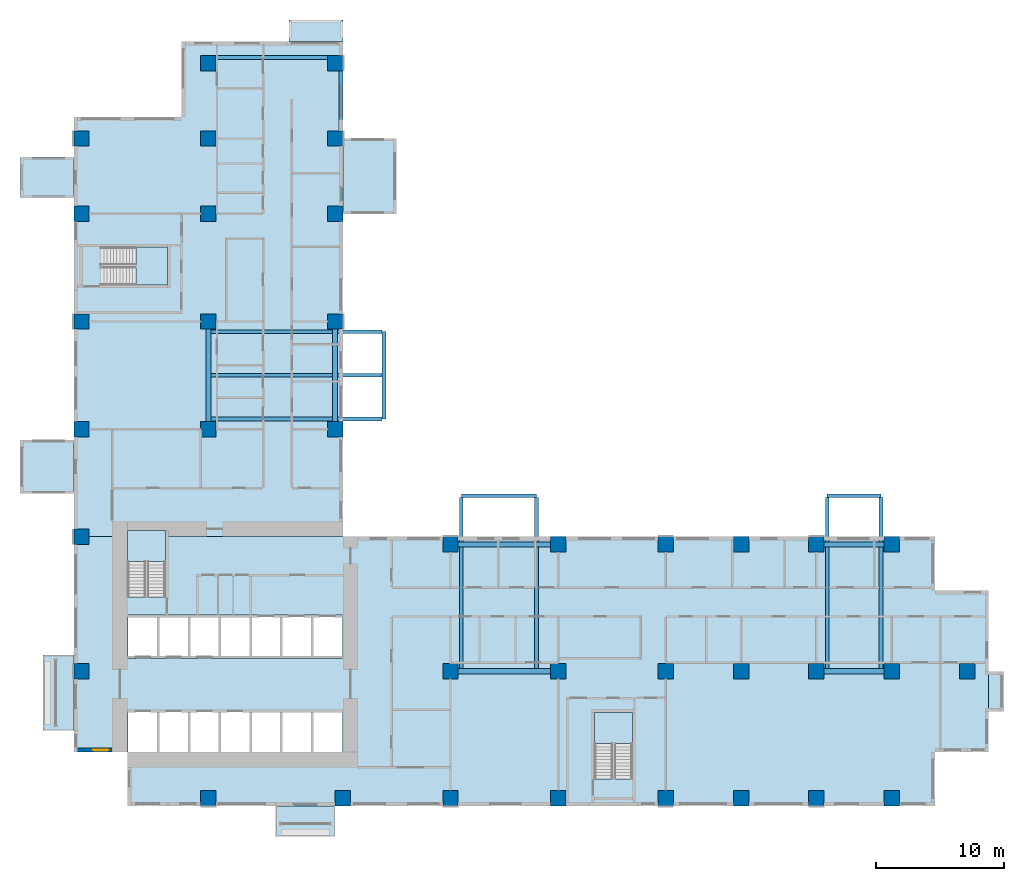
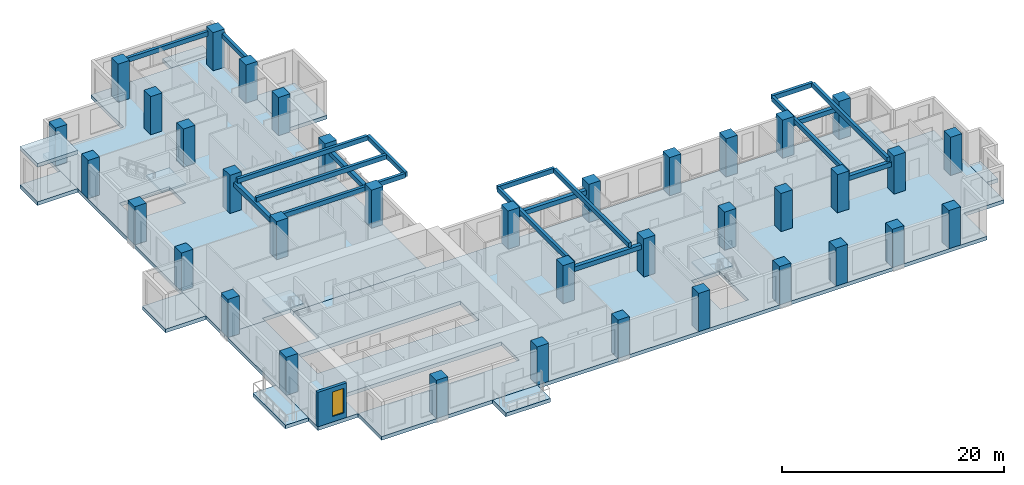
# One storey, part 1 of 14: 37 columns, 16 beams, 13 slabs, 2 members, 1 wall, 1 window, 1 opening, 3 elements without a shape of their own.
"""IFC4 building model written with IfcOpenShell, lengths in metres."""

from ifc_helpers import new_model, si_unit, direction, frame, frame_2d, origin, origin_2d, place, context, subcontext, project, spatial, polyline, rectangle, outline, extrude, source, transform, mapped, material, layer, layer_set, material_profile, profile_set, type_object, element, fill, aggregate, save


model = new_model("IFC4")

# Units and contexts
model_context = context("Model", 3, precision=1e-05, world=origin(), true_north=direction((0.0, 1.0)))
body_context = subcontext(model_context, "Body", "Model", "MODEL_VIEW")
ifc_project = project(units=[si_unit("LENGTHUNIT", "METRE"), si_unit("AREAUNIT", "SQUARE_METRE"), si_unit("VOLUMEUNIT", "CUBIC_METRE"), si_unit("PLANEANGLEUNIT", "RADIAN"), si_unit("MASSUNIT", "GRAM", prefix="KILO")], contexts=[model_context])

# Site, building, storey
site_placement = place(None, origin())
site = spatial("IfcSite", under=ifc_project, at=site_placement, CompositionType="ELEMENT")
building_placement = place(site_placement, origin())
building = spatial("IfcBuilding", under=site, at=building_placement, Name="Aurelian Terraces", CompositionType="ELEMENT")
storey_placement = place(building_placement, frame((0.0, 0.0, 86.7)))
storey = spatial("IfcBuildingStorey", under=building, at=storey_placement, Name="L18", CompositionType="ELEMENT", Elevation=86.7)

# Columns
ifc_material_1 = material(Name="Concrete fc' 83 MPa", Category="concrete")
ifc_material_profile_1 = material_profile(ifc_material_1, rectangle(XDim=1.2, YDim=1.2, at=origin_2d()))
ifc_profile_set_1 = profile_set([ifc_material_profile_1], Name="Concrete fc' 83 MPa")
column_type = type_object("IfcColumnType", Name="RC COLUMN 1200X1200 FC83", PredefinedType="COLUMN", material=ifc_profile_set_1)
shared_shape_1 = source(origin(), body_context, "Body", "SweptSolid", [
    extrude(rectangle(XDim=1.2, YDim=1.2, at=origin_2d()), origin(), (0.0, 0.0, 1.0), 4.2),
])
for number, where, z_axis, x_axis, name in (
    (1, (10.5, 0.6, 0.0), (0.0, 0.0, 1.0), (1.0, 0.0, 0.0), "Column 2/A L18"),
    (2, (21.0, 0.6, 0.0), (0.0, 0.0, 1.0), (1.0, 0.0, 0.0), "Column 3/A L18"),
    (3, (29.4, 0.6, 0.0), (0.0, 0.0, 1.0), (1.0, 0.0, 0.0), "Column 4/A L18"),
    (4, (37.8, 0.6, 0.0), (0.0, 0.0, 1.0), (1.0, 0.0, 0.0), "Column 5/A L18"),
    (5, (46.2, 0.6, 0.0), (0.0, 0.0, 1.0), (1.0, 0.0, 0.0), "Column 6/A L18"),
    (6, (52.08, 0.6, 0.0), (0.0, 0.0, 1.0), (1.0, 0.0, 0.0), "Column 7/A L18"),
    (7, (57.96, 0.6, 0.0), (0.0, 0.0, 1.0), (1.0, 0.0, 0.0), "Column 8/A L18"),
    (8, (63.84, 0.6, 0.0), (0.0, 0.0, 1.0), (1.0, 0.0, 0.0), "Column 9/A L18"),
    (9, (0.6, 10.5, 0.0), (0.0, 0.0, 1.0), (1.0, 0.0, 0.0), "Column 1/B L18"),
    (10, (29.4, 10.5, 0.0), (0.0, 0.0, 1.0), (1.0, 0.0, 0.0), "Column 4/B L18"),
    (11, (37.8, 10.5, 0.0), (0.0, 0.0, 1.0), (1.0, 0.0, 0.0), "Column 5/B L18"),
    (12, (46.2, 10.5, 0.0), (0.0, 0.0, 1.0), (1.0, 0.0, 0.0), "Column 6/B L18"),
    (13, (52.08, 10.5, 0.0), (0.0, 0.0, 1.0), (1.0, 0.0, 0.0), "Column 7/B L18"),
    (14, (57.96, 10.5, 0.0), (0.0, 0.0, 1.0), (1.0, 0.0, 0.0), "Column 8/B L18"),
    (15, (63.84, 10.5, 0.0), (0.0, 0.0, 1.0), (1.0, 0.0, 0.0), "Column 9/B L18"),
    (16, (69.72, 10.5, 0.0), (0.0, 0.0, 1.0), (1.0, 0.0, 0.0), "Column 10/B L18"),
    (17, (0.6, 21.0, 0.0), (0.0, 0.0, 1.0), (1.0, 0.0, 0.0), "Column 1/C L18"),
    (18, (29.4, 20.4, 0.0), (0.0, 0.0, 1.0), (1.0, 0.0, 0.0), "Column 4/C L18"),
    (19, (37.8, 20.4, 0.0), (0.0, 0.0, 1.0), (1.0, 0.0, 0.0), "Column 5/C L18"),
    (20, (46.2, 20.4, 0.0), (0.0, 0.0, 1.0), (1.0, 0.0, 0.0), "Column 6/C L18"),
    (21, (52.08, 20.4, 0.0), (0.0, 0.0, 1.0), (1.0, 0.0, 0.0), "Column 7/C L18"),
    (22, (57.96, 20.4, 0.0), (0.0, 0.0, 1.0), (1.0, 0.0, 0.0), "Column 8/C L18"),
    (23, (63.84, 20.4, 0.0), (0.0, 0.0, 1.0), (1.0, 0.0, 0.0), "Column 9/C L18"),
    (24, (0.6, 29.4, 0.0), (0.0, 0.0, 1.0), (1.0, 0.0, 0.0), "Column 1/D L18"),
    (25, (10.5, 29.4, 0.0), (0.0, 0.0, 1.0), (1.0, 0.0, 0.0), "Column 2/D L18"),
    (26, (20.4, 29.4, 0.0), (0.0, 0.0, 1.0), (1.0, 0.0, 0.0), "Column 3/D L18"),
    (27, (0.6, 37.8, 0.0), (0.0, 0.0, 1.0), (1.0, 0.0, 0.0), "Column 1/E L18"),
    (28, (10.5, 37.8, 0.0), (0.0, 0.0, 1.0), (1.0, 0.0, 0.0), "Column 2/E L18"),
    (29, (20.4, 37.8, 0.0), (0.0, 0.0, 1.0), (1.0, 0.0, 0.0), "Column 3/E L18"),
    (30, (0.6, 46.2, 0.0), (0.0, 0.0, 1.0), (1.0, 0.0, 0.0), "Column 1/F L18"),
    (31, (10.5, 46.2, 0.0), (0.0, 0.0, 1.0), (1.0, 0.0, 0.0), "Column 2/F L18"),
    (32, (20.4, 46.2, 0.0), (0.0, 0.0, 1.0), (1.0, 0.0, 0.0), "Column 3/F L18"),
    (33, (0.6, 52.08, 0.0), (0.0, 0.0, 1.0), (1.0, 0.0, 0.0), "Column 1/G L18"),
    (34, (10.5, 52.08, 0.0), (0.0, 0.0, 1.0), (1.0, 0.0, 0.0), "Column 2/G L18"),
    (35, (20.4, 52.08, 0.0), (0.0, 0.0, 1.0), (1.0, 0.0, 0.0), "Column 3/G L18"),
    (36, (10.5, 57.96, 0.0), (0.0, 0.0, 1.0), (1.0, 0.0, 0.0), "Column 2/H L18"),
    (37, (20.4, 57.96, 0.0), (0.0, 0.0, 1.0), (1.0, 0.0, 0.0), "Column 3/H L18"),
):
    element("IfcColumn", number, at=place(storey_placement, frame(where, z_axis=z_axis, x_axis=x_axis)), inside=storey, type_object=column_type, Name=name, PredefinedType="COLUMN", context=body_context, shape_type="MappedRepresentation", body=[
        mapped(shared_shape_1, transform((0.0, 0.0, 0.0), scale=1.0)),
    ])

# Members
ifc_material_2 = material(Name="Concrete fc' 40 MPa", Category="concrete")
ifc_material_profile_2 = material_profile(ifc_material_2, rectangle(XDim=0.3, YDim=0.5, at=origin_2d()))
ifc_profile_set_2 = profile_set([ifc_material_profile_2], Name="Concrete fc' 40 MPa")
member_type = type_object("IfcMemberType", Name="CONCRETE EDGE BEAM 300X500", PredefinedType="MEMBER", material=ifc_profile_set_2)
shared_shape_2 = source(origin(), body_context, "Body", "SweptSolid", [
    extrude(rectangle(XDim=0.3, YDim=0.5, at=origin_2d()), origin(), (0.0, 0.0, 1.0), 4.68),
])
member_1_placement = place(storey_placement, frame((20.85, 57.36, 3.55), z_axis=(0.0, -1.0, 0.0), x_axis=(1.0, 0.0, 0.0)))
element("IfcMember", 38, at=member_1_placement, inside=storey, type_object=member_type, Name="Terrace edge member L19-X1", PredefinedType="MEMBER", context=body_context, shape_type="MappedRepresentation", body=[
    mapped(shared_shape_2, transform((0.0, 0.0, 0.0), scale=1.0)),
])
shared_shape_3 = source(origin(), body_context, "Body", "SweptSolid", [
    extrude(rectangle(XDim=0.3, YDim=0.5, at=origin_2d()), origin(), (0.0, 0.0, 1.0), 8.7),
])
member_2_placement = place(storey_placement, frame((19.8, 58.41, 3.55), z_axis=(-1.0, 0.0, 0.0), x_axis=(0.0, -1.0, 0.0)))
element("IfcMember", 39, at=member_2_placement, inside=storey, type_object=member_type, Name="Terrace edge member L19-X1.2", PredefinedType="MEMBER", context=body_context, shape_type="MappedRepresentation", body=[
    mapped(shared_shape_3, transform((0.0, 0.0, 0.0), scale=1.0)),
])

# Beams
ifc_material_profile_3 = material_profile(ifc_material_2, rectangle(XDim=0.4, YDim=0.5, at=origin_2d()))
ifc_profile_set_3 = profile_set([ifc_material_profile_3], Name="Concrete fc' 40 MPa")
beam_type_1 = type_object("IfcBeamType", Name="CONCRETE EDGE GIRDER 400X500", PredefinedType="BEAM", material=ifc_profile_set_3)
shared_shape_4 = source(origin(), body_context, "Body", "SweptSolid", [
    extrude(rectangle(XDim=0.4, YDim=0.5, at=origin_2d()), origin(), (0.0, 0.0, 1.0), 4.68),
])
for number, where, z_axis, x_axis, name in (
    (40, (58.56, 20.4, 3.05), (1.0, 0.0, 0.0), (0.0, 1.0, 0.0), "Box girder L18 O55"),
    (41, (58.56, 10.5, 3.05), (1.0, 0.0, 0.0), (0.0, 1.0, 0.0), "Box girder L18 I56"),
):
    element("IfcBeam", number, at=place(storey_placement, frame(where, z_axis=z_axis, x_axis=x_axis)), inside=storey, type_object=beam_type_1, Name=name, PredefinedType="BEAM", context=body_context, shape_type="MappedRepresentation", body=[
        mapped(shared_shape_4, transform((0.0, 0.0, 0.0), scale=1.0)),
    ])
ifc_material_profile_4 = material_profile(ifc_material_2, rectangle(XDim=0.3, YDim=0.5, at=origin_2d()))
ifc_profile_set_4 = profile_set([ifc_material_profile_4], Name="Concrete fc' 40 MPa")
beam_type_2 = type_object("IfcBeamType", Name="CONCRETE CANTILEVER BEAM 300X500", PredefinedType="BEAM", material=ifc_profile_set_4)
shared_shape_5 = source(origin(), body_context, "Body", "SweptSolid", [
    extrude(rectangle(XDim=0.3, YDim=0.5, at=origin_2d()), origin(), (0.0, 0.0, 1.0), 13.55),
])
for number, where, z_axis, x_axis, name in (
    (42, (30.24, 24.05, 3.55), (0.0, -1.0, 0.0), (1.0, 0.0, 0.0), "Box cantilever beam J25.1"),
    (43, (36.12, 24.05, 3.55), (0.0, -1.0, 0.0), (1.0, 0.0, 0.0), "Box cantilever beam J25.2"),
    (44, (58.8, 24.05, 3.55), (0.0, -1.0, 0.0), (1.0, 0.0, 0.0), "Box cantilever beam J26.1"),
    (45, (63.0, 24.05, 3.55), (0.0, -1.0, 0.0), (1.0, 0.0, 0.0), "Box cantilever beam J26.2"),
    (46, (24.05, 30.2, 3.55), (-1.0, 0.0, 0.0), (0.0, -1.0, 0.0), "Box cantilever beam J27.1"),
    (47, (24.05, 37.0, 3.55), (-1.0, 0.0, 0.0), (0.0, -1.0, 0.0), "Box cantilever beam J27.2"),
    (48, (24.05, 33.6, 3.55), (-1.0, 0.0, 0.0), (0.0, -1.0, 0.0), "Box cantilever beam J27.m1"),
):
    element("IfcBeam", number, at=place(storey_placement, frame(where, z_axis=z_axis, x_axis=x_axis)), inside=storey, type_object=beam_type_2, Name=name, PredefinedType="BEAM", context=body_context, shape_type="MappedRepresentation", body=[
        mapped(shared_shape_5, transform((0.0, 0.0, 0.0), scale=1.0)),
    ])
shared_shape_6 = source(origin(), body_context, "Body", "SweptSolid", [
    extrude(rectangle(XDim=0.4, YDim=0.5, at=origin_2d()), origin(), (0.0, 0.0, 1.0), 7.2),
])
for number, where, z_axis, x_axis, name in (
    (49, (30.0, 20.4, 3.05), (1.0, 0.0, 0.0), (0.0, 1.0, 0.0), "Box girder L18 O53"),
    (50, (30.0, 10.5, 3.05), (1.0, 0.0, 0.0), (0.0, 1.0, 0.0), "Box girder L18 I54"),
    (51, (20.4, 30.0, 3.05), (0.0, 1.0, 0.0), (-1.0, 0.0, 0.0), "Box girder L18 O57"),
    (52, (10.5, 30.0, 3.05), (0.0, 1.0, 0.0), (-1.0, 0.0, 0.0), "Box girder L18 I58"),
):
    element("IfcBeam", number, at=place(storey_placement, frame(where, z_axis=z_axis, x_axis=x_axis)), inside=storey, type_object=beam_type_1, Name=name, PredefinedType="BEAM", context=body_context, shape_type="MappedRepresentation", body=[
        mapped(shared_shape_6, transform((0.0, 0.0, 0.0), scale=1.0)),
    ])
shared_shape_7 = source(origin(), body_context, "Body", "SweptSolid", [
    extrude(rectangle(XDim=0.3, YDim=0.5, at=origin_2d()), origin(), (0.0, 0.0, 1.0), 4.2),
])
beam_1_placement = place(storey_placement, frame((58.8, 24.2, 3.55), z_axis=(1.0, 0.0, 0.0), x_axis=(0.0, 1.0, 0.0)))
element("IfcBeam", 53, at=beam_1_placement, inside=storey, type_object=beam_type_2, Name="Box tip beam J26", PredefinedType="BEAM", context=body_context, shape_type="MappedRepresentation", body=[
    mapped(shared_shape_7, transform((0.0, 0.0, 0.0), scale=1.0)),
])
shared_shape_8 = source(origin(), body_context, "Body", "SweptSolid", [
    extrude(rectangle(XDim=0.3, YDim=0.5, at=origin_2d()), origin(), (0.0, 0.0, 1.0), 5.88),
])
beam_2_placement = place(storey_placement, frame((30.24, 24.2, 3.55), z_axis=(1.0, 0.0, 0.0), x_axis=(0.0, 1.0, 0.0)))
element("IfcBeam", 54, at=beam_2_placement, inside=storey, type_object=beam_type_2, Name="Box tip beam J25", PredefinedType="BEAM", context=body_context, shape_type="MappedRepresentation", body=[
    mapped(shared_shape_8, transform((0.0, 0.0, 0.0), scale=1.0)),
])
shared_shape_9 = source(origin(), body_context, "Body", "SweptSolid", [
    extrude(rectangle(XDim=0.3, YDim=0.5, at=origin_2d()), origin(), (0.0, 0.0, 1.0), 6.8),
])
beam_3_placement = place(storey_placement, frame((24.2, 30.2, 3.55), z_axis=(0.0, 1.0, 0.0), x_axis=(-1.0, 0.0, 0.0)))
element("IfcBeam", 55, at=beam_3_placement, inside=storey, type_object=beam_type_2, Name="Box tip beam J27", PredefinedType="BEAM", context=body_context, shape_type="MappedRepresentation", body=[
    mapped(shared_shape_9, transform((0.0, 0.0, 0.0), scale=1.0)),
])

# Slabs
ifc_layer_1 = layer(ifc_material_2, 0.41)
ifc_layer_set_1 = layer_set([ifc_layer_1], Name="Box floor 410")
slab_type_1 = type_object("IfcSlabType", Name="Box floor 410", PredefinedType="NOTDEFINED", material=ifc_layer_set_1)
slab_1_placement = place(storey_placement, frame((0.0, 0.0, -0.41)))
element("IfcSlab", 56, at=slab_1_placement, inside=storey, type_object=slab_type_1, Name="Box floor L18 J24", PredefinedType="NOTDEFINED", context=body_context, shape_type="SweptSolid", body=[
    extrude(outline(polyline([(-4.2, 28.56), (-4.2, 24.36), (0.0, 24.36), (0.0, 28.56), (-4.2, 28.56)])), origin(), (0.0, 0.0, 1.0), 0.41),
])
ifc_layer_2 = layer(ifc_material_2, 0.4)
ifc_layer_set_2 = layer_set([ifc_layer_2], Name="Box roof 400")
slab_type_2 = type_object("IfcSlabType", Name="Box roof 400", PredefinedType="ROOF", material=ifc_layer_set_2)
slab_2_placement = place(storey_placement, frame((0.0, 0.0, 3.8)))
element("IfcSlab", 57, at=slab_2_placement, inside=storey, type_object=slab_type_2, Name="Box roof J22", PredefinedType="ROOF", context=body_context, shape_type="SweptSolid", body=[
    extrude(outline(polyline([(-4.2, 50.61), (-4.2, 47.46), (0.0, 47.46), (0.0, 50.61), (-4.2, 50.61)])), origin(), (0.0, 0.0, 1.0), 0.4),
])
ifc_layer_3 = layer(ifc_material_2, 0.4)
ifc_layer_set_3 = layer_set([ifc_layer_3], Name="PT FLAT PLATE 400")
slab_type_3 = type_object("IfcSlabType", Name="PT FLAT PLATE 400", PredefinedType="FLOOR", material=ifc_layer_set_3)
slab_3_placement = place(storey_placement, frame((0.0, 0.0, -0.4)))
element("IfcSlab", 58, at=slab_3_placement, inside=storey, type_object=slab_type_3, Name="Floor slab W L18", PredefinedType="FLOOR", context=body_context, shape_type="SweptSolid", body=[
    extrude(outline(polyline([(0.0, 53.76), (8.4, 53.76), (8.4, 59.64), (16.8, 59.64), (21.0, 59.64), (21.0, 21.0), (7.14, 21.0), (7.14, 21.49), (4.21, 21.49), (4.21, 21.0), (0.0, 21.0), (0.0, 53.76)]), holes=[polyline([(7.29, 43.59), (2.11, 43.59), (2.11, 40.66), (7.29, 40.66), (7.29, 43.59)])]), origin(), (0.0, 0.0, 1.0), 0.4),
])
ifc_layer_4 = layer(ifc_material_2, 0.4)
ifc_layer_set_4 = layer_set([ifc_layer_4], Name="Roof slab 400")
slab_type_4 = type_object("IfcSlabType", Name="Roof slab 400", PredefinedType="ROOF", material=ifc_layer_set_4)
slab_4_placement = place(storey_placement, frame((0.0, 0.0, -0.4)))
element("IfcSlab", 59, at=slab_4_placement, inside=storey, type_object=slab_type_4, Name="Roof slab L18 L18-X1", PredefinedType="ROOF", context=body_context, shape_type="SweptSolid", body=[
    extrude(outline(polyline([(21.0, 61.32), (21.0, 59.64), (16.8, 59.64), (16.8, 61.32), (21.0, 61.32)])), origin(), (0.0, 0.0, 1.0), 0.4),
])
shared_shape_10 = source(origin(), body_context, "Body", "SweptSolid", [
    extrude(outline(polyline([(71.4, 16.8), (71.4, 4.2), (67.2, 4.2), (67.2, 0.0), (21.0, 0.0), (4.2, 0.0), (4.2, 4.2), (0.0, 4.2), (0.0, 21.0), (4.21, 21.0), (4.21, 16.31), (7.14, 16.31), (7.14, 21.0), (21.0, 21.0), (67.2, 21.0), (67.2, 16.8), (71.4, 16.8)]), holes=[polyline([(40.66, 2.11), (43.59, 2.11), (43.59, 7.29), (40.66, 7.29), (40.66, 2.11)]), polyline([(4.21, 7.49), (4.21, 4.21), (20.99, 4.21), (20.99, 7.49), (4.21, 7.49)]), polyline([(4.21, 14.89), (4.21, 11.51), (20.99, 11.51), (20.99, 14.89), (4.21, 14.89)])]), origin(), (0.0, 0.0, 1.0), 0.4),
])
slab_5_placement = place(storey_placement, frame((0.0, 0.0, -0.4)))
element("IfcSlab", 60, at=slab_5_placement, inside=storey, type_object=slab_type_3, Name="Floor slab S L18", PredefinedType="FLOOR", context=body_context, shape_type="MappedRepresentation", body=[
    mapped(shared_shape_10, transform((0.0, 0.0, 0.0), scale=1.0)),
])
shared_shape_11 = source(origin(), body_context, "Body", "SweptSolid", [
    extrude(outline(polyline([(25.2, 46.2), (25.2, 52.08), (21.0, 52.08), (21.0, 46.2), (25.2, 46.2)])), origin(), (0.0, 0.0, 1.0), 0.41),
])
slab_6_placement = place(storey_placement, frame((0.0, 0.0, -0.41)))
element("IfcSlab", 61, at=slab_6_placement, inside=storey, type_object=slab_type_1, Name="Box floor L18 J23", PredefinedType="NOTDEFINED", context=body_context, shape_type="MappedRepresentation", body=[
    mapped(shared_shape_11, transform((0.0, 0.0, 0.0), scale=1.0)),
])
ifc_layer_5 = layer(ifc_material_2, 0.4)
ifc_layer_set_5 = layer_set([ifc_layer_5], Name="Bay floor 400")
slab_type_5 = type_object("IfcSlabType", Name="Bay floor 400", PredefinedType="NOTDEFINED", material=ifc_layer_set_5)
shared_shape_12 = source(origin(), body_context, "Body", "SweptSolid", [
    extrude(outline(polyline([(71.4, 7.35), (71.4, 10.5), (72.6, 10.5), (72.6, 7.35), (71.4, 7.35)])), origin(), (0.0, 0.0, 1.0), 0.4),
])
slab_7_placement = place(storey_placement, frame((0.0, 0.0, -0.4)))
element("IfcSlab", 62, at=slab_7_placement, inside=storey, type_object=slab_type_5, Name="Bay floor L18 F04.16", PredefinedType="NOTDEFINED", context=body_context, shape_type="MappedRepresentation", body=[
    mapped(shared_shape_12, transform((0.0, 0.0, 0.0), scale=1.0)),
])
ifc_layer_6 = layer(ifc_material_2, 0.4)
ifc_layer_set_6 = layer_set([ifc_layer_6], Name="Balcony slab 400")
slab_type_6 = type_object("IfcSlabType", Name="Balcony slab 400", PredefinedType="NOTDEFINED", material=ifc_layer_set_6)
shared_shape_13 = source(origin(), body_context, "Body", "SweptSolid", [
    extrude(outline(polyline([(15.75, 0.0), (20.4, 0.0), (20.4, -2.4), (15.75, -2.4), (15.75, 0.0)])), origin(), (0.0, 0.0, 1.0), 0.4),
])
slab_8_placement = place(storey_placement, frame((0.0, 0.0, -0.4)))
element("IfcSlab", 63, at=slab_8_placement, inside=storey, type_object=slab_type_6, Name="Balcony slab L18 F01.4", PredefinedType="NOTDEFINED", context=body_context, shape_type="MappedRepresentation", body=[
    mapped(shared_shape_13, transform((0.0, 0.0, 0.0), scale=1.0)),
])
shared_shape_14 = source(origin(), body_context, "Body", "SweptSolid", [
    extrude(outline(polyline([(-4.2, 50.61), (-4.2, 47.46), (0.0, 47.46), (0.0, 50.61), (-4.2, 50.61)])), origin(), (0.0, 0.0, 1.0), 0.41),
])
slab_9_placement = place(storey_placement, frame((0.0, 0.0, -0.41)))
element("IfcSlab", 64, at=slab_9_placement, inside=storey, type_object=slab_type_1, Name="Box floor L18 J22", PredefinedType="NOTDEFINED", context=body_context, shape_type="MappedRepresentation", body=[
    mapped(shared_shape_14, transform((0.0, 0.0, 0.0), scale=1.0)),
])
shared_shape_15 = source(origin(), body_context, "Body", "SweptSolid", [
    extrude(outline(polyline([(0.0, 11.76), (0.0, 5.88), (-2.4, 5.88), (-2.4, 11.76), (0.0, 11.76)])), origin(), (0.0, 0.0, 1.0), 0.4),
])
slab_10_placement = place(storey_placement, frame((0.0, 0.0, -0.4)))
element("IfcSlab", 65, at=slab_10_placement, inside=storey, type_object=slab_type_6, Name="Balcony slab L18 F12.32", PredefinedType="NOTDEFINED", context=body_context, shape_type="MappedRepresentation", body=[
    mapped(shared_shape_15, transform((0.0, 0.0, 0.0), scale=1.0)),
])

# Stair, slab
stair_type = type_object("IfcStairType", Name="Stair 1400", PredefinedType="HALF_TURN_STAIR", material=ifc_material_2)
stair_1_placement = place(storey_placement, origin())
stair_1 = element("IfcStair", 66, at=stair_1_placement, inside=storey, type_object=stair_type, Name="L18 S1", PredefinedType="HALF_TURN_STAIR")
ifc_layer_7 = layer(ifc_material_2, 0.2)
ifc_layer_set_7 = layer_set([ifc_layer_7], Name="Stair landing 200")
slab_type_7 = type_object("IfcSlabType", Name="Stair landing 200", PredefinedType="LANDING", material=ifc_layer_set_7)
shared_shape_16 = source(origin(), body_context, "Body", "SweptSolid", [
    extrude(outline(polyline([(7.15, 19.05), (7.15, 21.5), (4.2, 21.5), (4.2, 19.05), (7.15, 19.05)])), origin(), (0.0, 0.0, 1.0), 0.2),
])
slab_11_placement = place(storey_placement, frame((0.0, 0.0, 1.9)))
slab_11 = element("IfcSlab", 67, at=slab_11_placement, type_object=slab_type_7, Name="S1 landing 1", PredefinedType="LANDING", context=body_context, shape_type="MappedRepresentation", body=[
    mapped(shared_shape_16, transform((0.0, 0.0, 0.0), scale=1.0)),
])
aggregate(stair_1, [slab_11])

stair_2_placement = place(storey_placement, origin())
stair_2 = element("IfcStair", 68, at=stair_2_placement, inside=storey, type_object=stair_type, Name="L18 S2", PredefinedType="HALF_TURN_STAIR")
shared_shape_17 = source(origin(), body_context, "Body", "SweptSolid", [
    extrude(outline(polyline([(43.6, 4.85), (43.6, 7.3), (40.65, 7.3), (40.65, 4.85), (43.6, 4.85)])), origin(), (0.0, 0.0, 1.0), 0.2),
])
slab_12_placement = place(storey_placement, frame((0.0, 0.0, 1.9)))
slab_12 = element("IfcSlab", 69, at=slab_12_placement, type_object=slab_type_7, Name="S2 landing 1", PredefinedType="LANDING", context=body_context, shape_type="MappedRepresentation", body=[
    mapped(shared_shape_17, transform((0.0, 0.0, 0.0), scale=1.0)),
])
aggregate(stair_2, [slab_12])

stair_3_placement = place(storey_placement, origin())
stair_3 = element("IfcStair", 70, at=stair_3_placement, inside=storey, type_object=stair_type, Name="L18 S3", PredefinedType="HALF_TURN_STAIR")
shared_shape_18 = source(origin(), body_context, "Body", "SweptSolid", [
    extrude(outline(polyline([(4.85, 40.65), (7.3, 40.65), (7.3, 43.6), (4.85, 43.6), (4.85, 40.65)])), origin(), (0.0, 0.0, 1.0), 0.2),
])
slab_13_placement = place(storey_placement, frame((0.0, 0.0, 1.9)))
slab_13 = element("IfcSlab", 71, at=slab_13_placement, type_object=slab_type_7, Name="S3 landing 1", PredefinedType="LANDING", context=body_context, shape_type="MappedRepresentation", body=[
    mapped(shared_shape_18, transform((0.0, 0.0, 0.0), scale=1.0)),
])
aggregate(stair_3, [slab_13])

# Wall, opening, window
ifc_material_3 = material(Name="Terracotta rainscreen cladding", Category="masonry")
ifc_layer_8 = layer(ifc_material_3, 0.3)
ifc_layer_set_8 = layer_set([ifc_layer_8], Name="EW-300")
wall_type = type_object("IfcWallType", Name="EW-300", PredefinedType="STANDARD", material=ifc_layer_set_8)
shared_shape_19 = source(origin(), body_context, "Body", "SweptSolid", [
    extrude(rectangle(XDim=3.0, YDim=0.3, at=frame_2d((1.5, 0.0))), origin(), (0.0, 0.0, 1.0), 3.8),
])
wall_placement = place(storey_placement, frame((0.0, 4.35, 0.0), z_axis=(0.0, 0.0, 1.0), x_axis=(1.0, 0.0, 0.0)))
wall = element("IfcWall", 72, at=wall_placement, inside=storey, type_object=wall_type, Name="External wall L18 F13.34", PredefinedType="STANDARD", context=body_context, shape_type="MappedRepresentation", body=[
    mapped(shared_shape_19, transform((0.0, 0.0, 0.0), scale=1.0)),
])
shared_shape_20 = source(origin(), body_context, "Body", "SweptSolid", [
    extrude(rectangle(XDim=1.2, YDim=2.7, at=frame_2d((0.6, 1.35))), frame((0.0, 0.16, 0.0), z_axis=(0.0, -1.0, 0.0), x_axis=(1.0, 0.0, 0.0)), (0.0, 0.0, 1.0), 0.32),
])
opening_placement = place(wall_placement, frame((1.5, 0.0, 0.6)))
opening = element("IfcOpeningElement", 73, at=opening_placement, cuts=wall, Name="Opening W1227", PredefinedType="OPENING", context=body_context, shape_type="MappedRepresentation", body=[
    mapped(shared_shape_20, transform((0.0, 0.0, 0.0), scale=1.0)),
])
ifc_material_4 = material(Name="Clear glazing", Category="glass")
window_type = type_object("IfcWindowType", Name="W-1200x2700", PartitioningType="SINGLE_PANEL", PredefinedType="WINDOW", material=ifc_material_4)
shared_shape_21 = source(origin(), body_context, "Body", "SweptSolid", [
    extrude(rectangle(XDim=1.2, YDim=2.7, at=frame_2d((0.6, 1.35))), frame((0.0, 0.03, 0.0), z_axis=(0.0, -1.0, 0.0), x_axis=(1.0, 0.0, 0.0)), (0.0, 0.0, 1.0), 0.06),
])
window_placement = place(opening_placement, origin())
window = element("IfcWindow", 74, at=window_placement, inside=storey, type_object=window_type, Name="Window L18 L18-F13-34-0", OverallHeight=2.7, OverallWidth=1.2, PartitioningType="SINGLE_PANEL", PredefinedType="WINDOW", context=body_context, shape_type="MappedRepresentation", body=[
    mapped(shared_shape_21, transform((0.0, 0.0, 0.0), scale=1.0)),
])
fill(opening, window)

save(model, "model.ifc")
